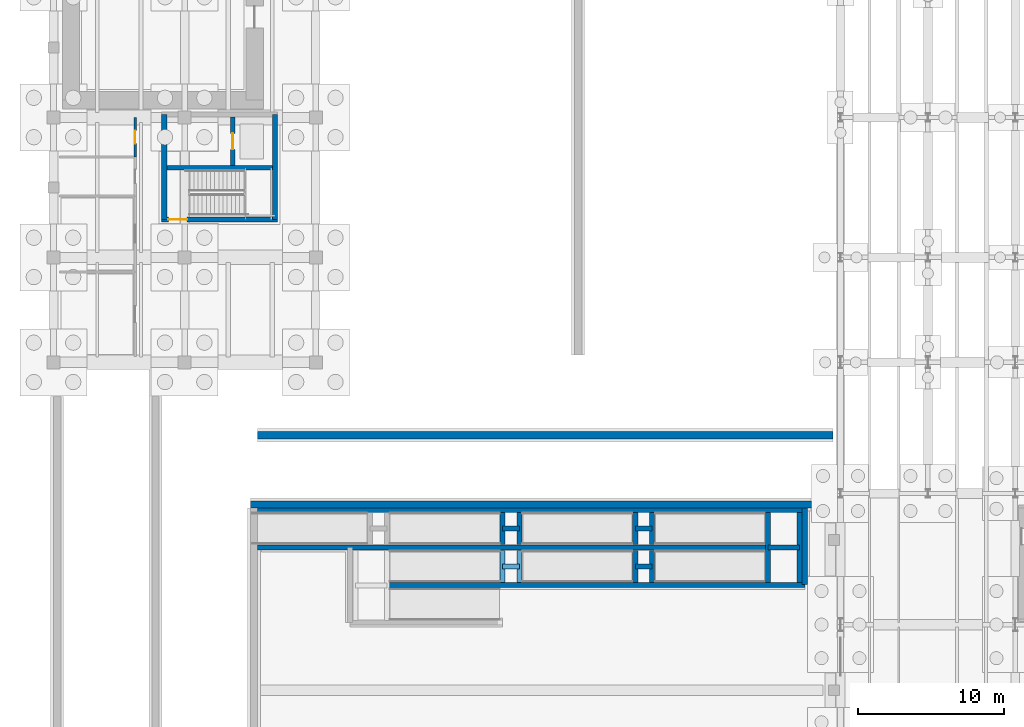
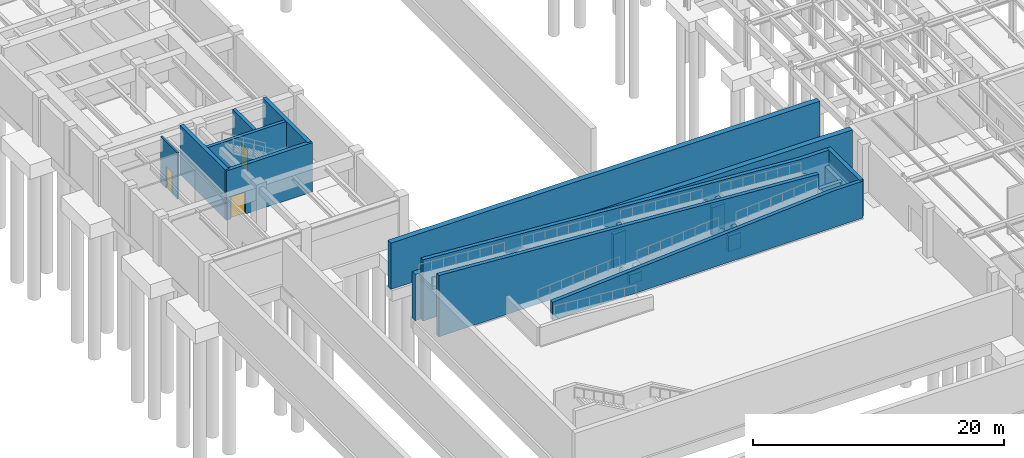
# One storey, part 42 of 59: 27 walls, 3 doors, 3 openings.
"""IFC4 building model written with IfcOpenShell, lengths in metres."""

from ifc_helpers import new_model, si_unit, direction, frame, frame_2d, origin, place, context, subcontext, project, spatial, polyline, rectangle, outline, extrude, material, layer, layer_set, type_object, element, fill, save


model = new_model("IFC4")

# Units and contexts
model_context = context("Model", 3, precision=1e-05, world=origin(), true_north=direction((0.0, 1.0)))
body_context = subcontext(model_context, "Body", "Model", "MODEL_VIEW")
ifc_project = project(units=[si_unit("LENGTHUNIT", "METRE"), si_unit("AREAUNIT", "SQUARE_METRE"), si_unit("VOLUMEUNIT", "CUBIC_METRE"), si_unit("PLANEANGLEUNIT", "RADIAN"), si_unit("MASSUNIT", "GRAM", prefix="KILO")], contexts=[model_context])

# Site, building, storey
site_placement = place(None, origin())
site = spatial("IfcSite", under=ifc_project, at=site_placement, CompositionType="ELEMENT")
building_placement = place(site_placement, origin())
building = spatial("IfcBuilding", under=site, at=building_placement, Name="Montealbar Specialist Clinic", CompositionType="ELEMENT")
storey_placement = place(building_placement, frame((0.0, 0.0, -4.800048828125)))
storey = spatial("IfcBuildingStorey", under=building, at=storey_placement, Name="B01", CompositionType="ELEMENT", Elevation=-4.800048828125)

# Walls
ifc_material_1 = material(Name="Guadarrama granite ashlar", Category="masonry")
ifc_layer_1 = layer(ifc_material_1, 0.35009765625, Name="Guadarrama granite ashlar", Category="masonry")
ifc_layer_set_1 = layer_set([ifc_layer_1], Name="Guadarrama granite ashlar")
wall_type_1 = type_object("IfcWallType", Name="WL-CHEEK-350", PredefinedType="SOLIDWALL", material=ifc_layer_set_1)
for number, where, z_axis, x_axis, name in (
    (1, (30.820068359375, 32.5, 0.0), (0.0, 0.0, 1.0), (0.0, 1.0, 0.0), "Terrace Ramp Pier Wall PR-02 W"),
    (2, (31.97998046875, 32.5, 0.0), (0.0, 0.0, 1.0), (0.0, 1.0, 0.0), "Terrace Ramp Pier Wall PR-02 E"),
):
    element("IfcWall", number, at=place(storey_placement, frame(where, z_axis=z_axis, x_axis=x_axis)), inside=storey, type_object=wall_type_1, Name=name, PredefinedType="SOLIDWALL", context=body_context, shape_type="SweptSolid", body=[
        extrude(rectangle(XDim=2.199951171875, YDim=0.35009765625, at=frame_2d((1.10009765625, 0.0))), origin(), (0.0, 0.0, 1.0), 3.300048828125),
    ])
wall_1_placement = place(storey_placement, frame((30.820068359375, 33.60009765625, 0.0), z_axis=(0.0, 0.0, 1.0), x_axis=(1.0, 0.0, 0.0)))
element("IfcWall", 3, at=wall_1_placement, inside=storey, type_object=wall_type_1, Name="Terrace Ramp Pier Wall PR-02 M", PredefinedType="SOLIDWALL", context=body_context, shape_type="SweptSolid", body=[
    extrude(rectangle(XDim=1.159912109375, YDim=0.35009765625, at=frame_2d((0.580078125, 0.0))), origin(), (0.0, 0.0, 1.0), 3.300048828125),
])
for number, where, z_axis, x_axis, name in (
    (4, (39.919921875, 32.5, 0.0), (0.0, 0.0, 1.0), (0.0, 1.0, 0.0), "Terrace Ramp Pier Wall PR-03 W"),
    (5, (41.080078125, 32.5, 0.0), (0.0, 0.0, 1.0), (0.0, 1.0, 0.0), "Terrace Ramp Pier Wall PR-03 E"),
):
    element("IfcWall", number, at=place(storey_placement, frame(where, z_axis=z_axis, x_axis=x_axis)), inside=storey, type_object=wall_type_1, Name=name, PredefinedType="SOLIDWALL", context=body_context, shape_type="SweptSolid", body=[
        extrude(rectangle(XDim=2.199951171875, YDim=0.35009765625, at=frame_2d((1.10009765625, 0.0))), origin(), (0.0, 0.0, 1.0), 2.699951171875),
    ])
wall_2_placement = place(storey_placement, frame((39.919921875, 33.60009765625, 0.0), z_axis=(0.0, 0.0, 1.0), x_axis=(1.0, 0.0, 0.0)))
element("IfcWall", 6, at=wall_2_placement, inside=storey, type_object=wall_type_1, Name="Terrace Ramp Pier Wall PR-03 M", PredefinedType="SOLIDWALL", context=body_context, shape_type="SweptSolid", body=[
    extrude(rectangle(XDim=1.16015625, YDim=0.35009765625, at=frame_2d((0.580078125, 0.0))), origin(), (0.0, 0.0, 1.0), 2.699951171875),
])
for number, where, z_axis, x_axis, name in (
    (7, (49.02001953125, 29.89990234375, 0.0), (0.0, 0.0, 1.0), (0.0, 1.0, 0.0), "Terrace Ramp Pier Wall PR-04 W"),
    (8, (51.179931640625, 29.89990234375, 0.0), (0.0, 0.0, 1.0), (0.0, 1.0, 0.0), "Terrace Ramp Pier Wall PR-04 E"),
):
    element("IfcWall", number, at=place(storey_placement, frame(where, z_axis=z_axis, x_axis=x_axis)), inside=storey, type_object=wall_type_1, Name=name, PredefinedType="SOLIDWALL", context=body_context, shape_type="SweptSolid", body=[
        extrude(rectangle(XDim=4.800048828125, YDim=0.35009765625, at=frame_2d((2.39990234375, 0.0))), origin(), (0.0, 0.0, 1.0), 2.10009765625),
    ])
wall_3_placement = place(storey_placement, frame((49.02001953125, 32.300048828125, 0.0), z_axis=(0.0, 0.0, 1.0), x_axis=(1.0, 0.0, 0.0)))
element("IfcWall", 9, at=wall_3_placement, inside=storey, type_object=wall_type_1, Name="Terrace Ramp Pier Wall PR-04 M", PredefinedType="SOLIDWALL", context=body_context, shape_type="SweptSolid", body=[
    extrude(rectangle(XDim=2.159912109375, YDim=0.35009765625, at=frame_2d((1.080078125, 0.0))), origin(), (0.0, 0.0, 1.0), 2.10009765625),
])
for number, where, z_axis, x_axis, name in (
    (10, (39.919921875, 29.89990234375, 0.0), (0.0, 0.0, 1.0), (0.0, 1.0, 0.0), "Terrace Ramp Pier Wall PR-05 W"),
    (11, (41.080078125, 29.89990234375, 0.0), (0.0, 0.0, 1.0), (0.0, 1.0, 0.0), "Terrace Ramp Pier Wall PR-05 E"),
):
    element("IfcWall", number, at=place(storey_placement, frame(where, z_axis=z_axis, x_axis=x_axis)), inside=storey, type_object=wall_type_1, Name=name, PredefinedType="SOLIDWALL", context=body_context, shape_type="SweptSolid", body=[
        extrude(rectangle(XDim=2.2001953125, YDim=0.35009765625, at=frame_2d((1.10009765625, 0.0))), origin(), (0.0, 0.0, 1.0), 1.5),
    ])
wall_4_placement = place(storey_placement, frame((39.919921875, 31.0, 0.0), z_axis=(0.0, 0.0, 1.0), x_axis=(1.0, 0.0, 0.0)))
element("IfcWall", 12, at=wall_4_placement, inside=storey, type_object=wall_type_1, Name="Terrace Ramp Pier Wall PR-05 M", PredefinedType="SOLIDWALL", context=body_context, shape_type="SweptSolid", body=[
    extrude(rectangle(XDim=1.16015625, YDim=0.35009765625, at=frame_2d((0.580078125, 0.0))), origin(), (0.0, 0.0, 1.0), 1.5),
])
for number, where, z_axis, x_axis, name in (
    (13, (30.820068359375, 29.89990234375, 0.0), (0.0, 0.0, 1.0), (0.0, 1.0, 0.0), "Terrace Ramp Pier Wall PR-06 W"),
    (14, (31.97998046875, 29.89990234375, 0.0), (0.0, 0.0, 1.0), (0.0, 1.0, 0.0), "Terrace Ramp Pier Wall PR-06 E"),
):
    element("IfcWall", number, at=place(storey_placement, frame(where, z_axis=z_axis, x_axis=x_axis)), inside=storey, type_object=wall_type_1, Name=name, PredefinedType="SOLIDWALL", context=body_context, shape_type="SweptSolid", body=[
        extrude(rectangle(XDim=2.2001953125, YDim=0.35009765625, at=frame_2d((1.10009765625, 0.0))), origin(), (0.0, 0.0, 1.0), 0.900146484375),
    ])
wall_5_placement = place(storey_placement, frame((30.820068359375, 31.0, 0.0), z_axis=(0.0, 0.0, 1.0), x_axis=(1.0, 0.0, 0.0)))
element("IfcWall", 15, at=wall_5_placement, inside=storey, type_object=wall_type_1, Name="Terrace Ramp Pier Wall PR-06 M", PredefinedType="SOLIDWALL", context=body_context, shape_type="SweptSolid", body=[
    extrude(rectangle(XDim=1.159912109375, YDim=0.35009765625, at=frame_2d((0.580078125, 0.0))), origin(), (0.0, 0.0, 1.0), 0.900146484375),
])
wall_6_placement = place(storey_placement, frame((14.0, 34.820068359375, 0.0), z_axis=(0.0, 0.0, 1.0), x_axis=(1.0, 0.0, 0.0)))
element("IfcWall", 16, at=wall_6_placement, inside=storey, type_object=wall_type_1, Name="Forecourt Ramp Granite Balustrade Wall RAMP-N-OUTER", PredefinedType="SOLIDWALL", context=body_context, shape_type="SweptSolid", body=[
    extrude(outline(polyline([(0.0, 0.0), (37.550048828125, 0.0), (37.550048828125, 3.580078125), (34.800048828125, 3.580078125), (0.0, 5.97998046875), (0.0, 0.0)])), frame((0.0, 0.175048828125, 0.0), z_axis=(0.0, -1.0, 0.0), x_axis=(1.0, 0.0, 0.0)), (0.0, 0.0, 1.0), 0.35009765625),
])
wall_7_placement = place(storey_placement, frame((14.0, 32.300048828125, 0.0), z_axis=(0.0, 0.0, 1.0), x_axis=(1.0, 0.0, 0.0)))
element("IfcWall", 17, at=wall_7_placement, inside=storey, type_object=wall_type_1, Name="Forecourt Ramp Granite Balustrade Wall RAMP-DIV-AB", PredefinedType="SOLIDWALL", context=body_context, shape_type="SweptSolid", body=[
    extrude(outline(polyline([(0.0, 0.0), (35.0, 0.0), (35.0, 3.580078125), (0.0, 5.97998046875), (0.0, 0.0)])), frame((0.0, 0.175048828125, 0.0), z_axis=(0.0, -1.0, 0.0), x_axis=(1.0, 0.0, 0.0)), (0.0, 0.0, 1.0), 0.35009765625),
])
wall_8_placement = place(storey_placement, frame((51.550048828125, 29.75, 0.0), z_axis=(0.0, 0.0, 1.0), x_axis=(0.0, 1.0, 0.0)))
element("IfcWall", 18, at=wall_8_placement, inside=storey, type_object=wall_type_1, Name="Forecourt Ramp Granite Balustrade Wall RAMP-E-TURN", PredefinedType="SOLIDWALL", context=body_context, shape_type="SweptSolid", body=[
    extrude(outline(polyline([(0.0, 0.0), (5.25, 0.0), (5.25, 3.580078125), (0.0, 3.580078125), (0.0, 0.0)])), frame((0.0, 0.175048828125, 0.0), z_axis=(0.0, -1.0, 0.0), x_axis=(1.0, 0.0, 0.0)), (0.0, 0.0, 1.0), 0.35009765625),
])
wall_9_placement = place(storey_placement, frame((23.0, 29.719970703125, 0.0), z_axis=(0.0, 0.0, 1.0), x_axis=(1.0, 0.0, 0.0)))
element("IfcWall", 19, at=wall_9_placement, inside=storey, type_object=wall_type_1, Name="Forecourt Ramp Granite Balustrade Wall RAMP-DIV-BC", PredefinedType="SOLIDWALL", context=body_context, shape_type="SweptSolid", body=[
    extrude(outline(polyline([(0.0, 0.0), (28.550048828125, 0.0), (28.550048828125, 3.580078125), (25.800048828125, 3.580078125), (0.0, 1.780029296875), (0.0, 0.0)])), frame((0.0, 0.175048828125, 0.0), z_axis=(0.0, -1.0, 0.0), x_axis=(1.0, 0.0, 0.0)), (0.0, 0.0, 1.0), 0.35009765625),
])
ifc_material_2 = material(Name="Concrete C35/45", Category="concrete")
ifc_layer_2 = layer(ifc_material_2, 0.300048828125, Name="Concrete C35/45", Category="concrete")
ifc_layer_set_2 = layer_set([ifc_layer_2], Name="Concrete C35/45")
wall_type_2 = type_object("IfcWallType", Name="WL-CORE-300", PredefinedType="SHEAR", material=ifc_layer_set_2)
wall_10_placement = place(storey_placement, frame((7.77490234375, 58.35009765625, 0.0), z_axis=(0.0, 0.0, 1.0), x_axis=(1.0, 0.0, 0.0)))
element("IfcWall", 20, at=wall_10_placement, inside=storey, type_object=wall_type_2, Name="Core C1 Stairwell Wall B01", PredefinedType="SHEAR", context=body_context, shape_type="SweptSolid", body=[
    extrude(rectangle(XDim=7.25, YDim=0.300048828125, at=frame_2d((3.625, 0.0))), origin(), (0.0, 0.0, 1.0), 4.800048828125),
])

# Wall, opening, door
wall_11_placement = place(storey_placement, frame((12.300048828125, 58.5, 0.0), z_axis=(0.0, 0.0, 1.0), x_axis=(0.0, 1.0, 0.0)))
wall_11 = element("IfcWall", 21, at=wall_11_placement, inside=storey, type_object=wall_type_2, Name="Lift LF-01 Shaft Wall B01 LW", PredefinedType="SHEAR", context=body_context, shape_type="SweptSolid", body=[
    extrude(rectangle(XDim=3.324951171875, YDim=0.300048828125, at=frame_2d((1.66259765625, 0.0))), origin(), (0.0, 0.0, 1.0), 4.800048828125),
])
opening_1_placement = place(wall_11_placement, frame((1.113037109375, 0.0, 0.0)))
opening_1 = element("IfcOpeningElement", 22, at=opening_1_placement, cuts=wall_11, Name="Opening LD-11", PredefinedType="OPENING", context=body_context, shape_type="SweptSolid", body=[
    extrude(rectangle(XDim=1.10009765625, YDim=2.14990234375, at=frame_2d((0.550048828125, 1.074951171875))), frame((0.0, 0.159912109375, 0.0), z_axis=(0.0, -1.0, 0.0), x_axis=(1.0, 0.0, 0.0)), (0.0, 0.0, 1.0), 0.320068359375),
])
ifc_material_3 = material(Name="Steel S355", Category="steel")
door_type_1 = type_object("IfcDoorType", Name="DR-LIFT-LD1100", OperationType="DOUBLE_DOOR_SLIDING", PredefinedType="DOOR", material=ifc_material_3)
door_1_placement = place(opening_1_placement, origin())
door_1 = element("IfcDoor", 23, at=door_1_placement, inside=storey, type_object=door_type_1, Name="Lift LF-01 Sliding Landing Door B01", OperationType="DOUBLE_DOOR_SLIDING", OverallHeight=2.14990234375, OverallWidth=1.10009765625, PredefinedType="DOOR", context=body_context, shape_type="SweptSolid", body=[
    extrude(rectangle(XDim=1.10009765625, YDim=2.14990234375, at=frame_2d((0.550048828125, 1.074951171875))), frame((0.0, 0.02490234375, 0.0), z_axis=(0.0, -1.0, 0.0), x_axis=(1.0, 0.0, 0.0)), (0.0, 0.0, 1.0), 0.050048828125),
])
fill(opening_1, door_1)

ifc_layer_3 = layer(ifc_material_2, 0.35009765625, Name="Concrete C35/45", Category="concrete")
ifc_layer_set_3 = layer_set([ifc_layer_3], Name="Concrete C35/45")
wall_type_3 = type_object("IfcWallType", Name="WL-CORE-350", PredefinedType="SHEAR", material=ifc_layer_set_3)
wall_12_placement = place(storey_placement, frame((7.425048828125, 54.800048828125, 0.0), z_axis=(0.0, 0.0, 1.0), x_axis=(1.0, 0.0, 0.0)))
wall_12 = element("IfcWall", 24, at=wall_12_placement, inside=storey, type_object=wall_type_3, Name="Core C1 Shear Wall B01 S", PredefinedType="SHEAR", context=body_context, shape_type="SweptSolid", body=[
    extrude(rectangle(XDim=7.949951171875, YDim=0.35009765625, at=frame_2d((3.97509765625, 0.0))), origin(), (0.0, 0.0, 1.0), 4.800048828125),
])
opening_2_placement = place(wall_12_placement, frame((0.449951171875, 0.0, 0.0)))
opening_2 = element("IfcOpeningElement", 25, at=opening_2_placement, cuts=wall_12, Name="Opening SD-13", PredefinedType="OPENING", context=body_context, shape_type="SweptSolid", body=[
    extrude(rectangle(XDim=1.300048828125, YDim=2.14990234375, at=frame_2d((0.64990234375, 1.074951171875))), frame((0.0, 0.18505859375, 0.0), z_axis=(0.0, -1.0, 0.0), x_axis=(1.0, 0.0, 0.0)), (0.0, 0.0, 1.0), 0.3701171875),
])
door_type_2 = type_object("IfcDoorType", Name="DR-STAIR-W1300", OperationType="NOTDEFINED", PredefinedType="DOOR", material=ifc_material_3)
door_2_placement = place(opening_2_placement, frame((1.300048828125, 0.0, 0.0), z_axis=(0.0, 0.0, 1.0), x_axis=(-1.0, 0.0, 0.0)))
door_2 = element("IfcDoor", 26, at=door_2_placement, inside=storey, type_object=door_type_2, Name="Protected Core C1 Stair Fire Door B01", OperationType="SINGLE_SWING_LEFT", OverallHeight=2.14990234375, OverallWidth=1.300048828125, PredefinedType="DOOR", context=body_context, shape_type="SweptSolid", body=[
    extrude(rectangle(XDim=1.300048828125, YDim=2.14990234375, at=frame_2d((0.64990234375, 1.074951171875))), frame((0.0, 0.02490234375, 0.0), z_axis=(0.0, -1.0, 0.0), x_axis=(1.0, 0.0, 0.0)), (0.0, 0.0, 1.0), 0.050048828125),
])
fill(opening_2, door_2)

# Walls
for number, where, z_axis, x_axis, name in (
    (27, (7.60009765625, 54.800048828125, 0.0), (0.0, 0.0, 1.0), (0.0, 1.0, 0.0), "Core C1 Shear Wall B01 W"),
    (28, (15.199951171875, 54.800048828125, 0.0), (0.0, 0.0, 1.0), (0.0, 1.0, 0.0), "Core C1 Shear Wall B01 E"),
):
    element("IfcWall", number, at=place(storey_placement, frame(where, z_axis=z_axis, x_axis=x_axis)), inside=storey, type_object=wall_type_3, Name=name, PredefinedType="SHEAR", context=body_context, shape_type="SweptSolid", body=[
        extrude(rectangle(XDim=7.199951171875, YDim=0.35009765625, at=frame_2d((3.60009765625, 0.0))), origin(), (0.0, 0.0, 1.0), 4.800048828125),
    ])

# Wall, opening, door
ifc_material_4 = material(Name="Gypsum acoustic partition", Category="gypsum")
ifc_layer_4 = layer(ifc_material_4, 0.159912109375, Name="Gypsum acoustic partition", Category="gypsum")
ifc_layer_set_4 = layer_set([ifc_layer_4], Name="Gypsum acoustic partition")
wall_type_4 = type_object("IfcWallType", Name="WL-PART-CLINIC-160", PredefinedType="PARTITIONING", material=ifc_layer_set_4)
wall_13_placement = place(storey_placement, frame((5.60009765625, 59.10009765625, 0.0), z_axis=(0.0, 0.0, 1.0), x_axis=(0.0, 1.0, 0.0)))
wall_13 = element("IfcWall", 29, at=wall_13_placement, inside=storey, type_object=wall_type_4, Name="Clinical Partition PART-B01-0007", PredefinedType="PARTITIONING", context=body_context, shape_type="SweptSolid", body=[
    extrude(rectangle(XDim=2.699951171875, YDim=0.159912109375, at=frame_2d((1.35009765625, 0.0))), origin(), (0.0, 0.0, 1.0), 4.5),
])
opening_3_placement = place(wall_13_placement, frame((0.89990234375, 0.0, 0.0)))
opening_3 = element("IfcOpeningElement", 30, at=opening_3_placement, cuts=wall_13, Name="Opening ID-090", PredefinedType="OPENING", context=body_context, shape_type="SweptSolid", body=[
    extrude(rectangle(XDim=0.89990234375, YDim=2.10009765625, at=frame_2d((0.449951171875, 1.050048828125))), frame((0.0, 0.08984375, 0.0), z_axis=(0.0, -1.0, 0.0), x_axis=(1.0, 0.0, 0.0)), (0.0, 0.0, 1.0), 0.179931640625),
])
ifc_material_5 = material(Name="Acoustic timber leaf", Category="wood")
door_type_3 = type_object("IfcDoorType", Name="DR-WC-W0900", OperationType="NOTDEFINED", PredefinedType="DOOR", material=ifc_material_5)
door_3_placement = place(opening_3_placement, frame((0.89990234375, 0.0, 0.0), z_axis=(0.0, 0.0, 1.0), x_axis=(-1.0, 0.0, 0.0)))
door_3 = element("IfcDoor", 31, at=door_3_placement, inside=storey, type_object=door_type_3, Name="Clinical Room Door IDR-B01-0004", OperationType="SINGLE_SWING_RIGHT", OverallHeight=2.10009765625, OverallWidth=0.89990234375, PredefinedType="DOOR", context=body_context, shape_type="SweptSolid", body=[
    extrude(rectangle(XDim=0.89990234375, YDim=2.10009765625, at=frame_2d((0.449951171875, 1.050048828125))), frame((0.0, 0.02490234375, 0.0), z_axis=(0.0, -1.0, 0.0), x_axis=(1.0, 0.0, 0.0)), (0.0, 0.0, 1.0), 0.050048828125),
])
fill(opening_3, door_3)

# Walls
ifc_layer_5 = layer(ifc_material_2, 0.5, Name="Concrete C35/45", Category="concrete")
ifc_layer_set_5 = layer_set([ifc_layer_5], Name="Concrete C35/45")
wall_type_5 = type_object("IfcWallType", Name="WL-RET-500", PredefinedType="SOLIDWALL", material=ifc_layer_set_5)
wall_14_placement = place(storey_placement, frame((13.5, 35.25, 0.0), z_axis=(0.0, 0.0, 1.0), x_axis=(1.0, 0.0, 0.0)))
element("IfcWall", 32, at=wall_14_placement, inside=storey, type_object=wall_type_5, Name="Perimeter Plinth Retaining Wall FC-N", PredefinedType="SOLIDWALL", context=body_context, shape_type="SweptSolid", body=[
    extrude(rectangle(XDim=40.25, YDim=0.5, at=frame_2d((20.125, 0.0))), origin(), (0.0, 0.0, 1.0), 4.5),
])
wall_15_placement = place(storey_placement, frame((14.0, 40.0, 0.0), z_axis=(0.0, 0.0, 1.0), x_axis=(1.0, 0.0, 0.0)))
element("IfcWall", 33, at=wall_15_placement, inside=storey, type_object=wall_type_5, Name="Perimeter Plinth Retaining Wall SUP-SW2", PredefinedType="SOLIDWALL", context=body_context, shape_type="SweptSolid", body=[
    extrude(rectangle(XDim=39.5, YDim=0.5, at=frame_2d((19.75, 0.0))), origin(), (0.0, 0.0, 1.0), 4.5),
])

save(model, "model.ifc")
